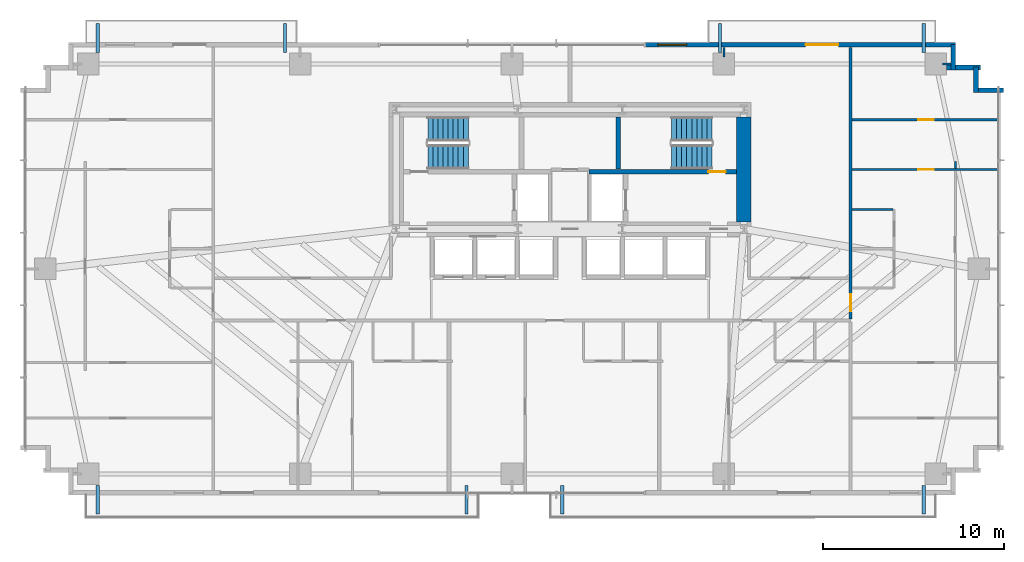
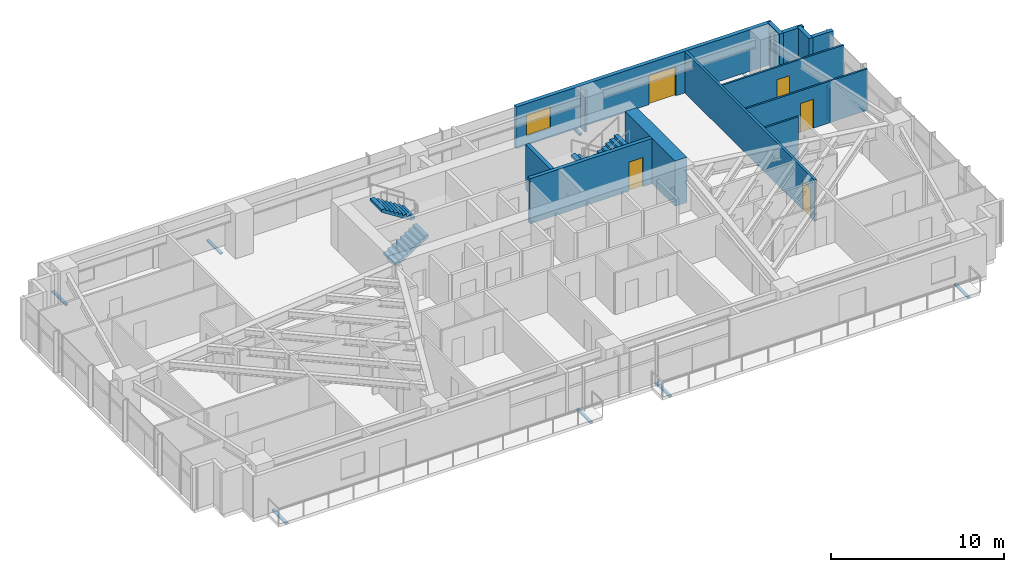
# One storey, part 22 of 25: 15 walls, 8 discrete accessories, 5 doors, 4 stair flights, 1 window, 6 openings, 2 elements without a shape of their own.
"""IFC4 building model written with IfcOpenShell, lengths in metres."""

from ifc_helpers import new_model, si_unit, direction, frame, frame_2d, origin, origin_2d, place, context, subcontext, project, spatial, polyline, rectangle, outline, extrude, source, transform, mapped, material, layer, layer_set, type_object, type_shapes, element, fill, aggregate, save


model = new_model("IFC4")

# Units and contexts
model_context = context("Model", 3, precision=1e-05, world=origin(), true_north=direction((0.0, 1.0)))
body_context = subcontext(model_context, "Body", "Model", "MODEL_VIEW")
ifc_project = project(units=[si_unit("LENGTHUNIT", "METRE"), si_unit("AREAUNIT", "SQUARE_METRE"), si_unit("VOLUMEUNIT", "CUBIC_METRE"), si_unit("PLANEANGLEUNIT", "RADIAN"), si_unit("MASSUNIT", "GRAM", prefix="KILO")], contexts=[model_context])

# Site, building, storey
site_placement = place(None, origin())
site = spatial("IfcSite", under=ifc_project, at=site_placement, CompositionType="ELEMENT")
building_placement = place(site_placement, origin())
building = spatial("IfcBuilding", under=site, at=building_placement, Name="Astriad Promenade Condominiums", CompositionType="ELEMENT")
storey_placement = place(building_placement, frame((0.0, 0.0, 51.800048828125)))
storey = spatial("IfcBuildingStorey", under=building, at=storey_placement, Name="L14", CompositionType="ELEMENT", Elevation=51.800048828125)

# Wall
ifc_material_1 = material(Name="Concrete C80/95", Category="concrete")
ifc_layer_1 = layer(ifc_material_1, 0.800048828125)
ifc_layer_set_1 = layer_set([ifc_layer_1], Name="Concrete C80/95")
wall_type_1 = type_object("IfcWallType", Name="CW-SHEAR-800", PredefinedType="SHEAR", material=ifc_layer_set_1)
wall_1_placement = place(storey_placement, frame((45.60009765625, 17.802001953125, 0.0), z_axis=(0.0, 0.0, 1.0), x_axis=(0.0, 1.0, 0.0)))
element("IfcWall", 1, at=wall_1_placement, inside=storey, type_object=wall_type_1, Name="CW-CORE-E-L14", PredefinedType="SHEAR", context=body_context, shape_type="SweptSolid", body=[
    extrude(rectangle(XDim=5.7958984375, YDim=0.800048828125, at=frame_2d((2.89794921875, 0.0))), origin(), (0.0, 0.0, 1.0), 3.199951171875),
])

# Wall, opening, door
ifc_material_2 = material(Name="Concrete C50/60", Category="concrete")
ifc_layer_2 = layer(ifc_material_2, 0.25)
ifc_layer_set_2 = layer_set([ifc_layer_2], Name="Concrete C50/60")
wall_type_2 = type_object("IfcWallType", Name="WALL-CORE-INT-250", PredefinedType="SOLIDWALL", material=ifc_layer_set_2)
wall_2_placement = place(storey_placement, frame((37.050048828125, 20.574951171875, 0.0), z_axis=(0.0, 0.0, 1.0), x_axis=(1.0, 0.0, 0.0)))
wall_2 = element("IfcWall", 2, at=wall_2_placement, inside=storey, type_object=wall_type_2, Name="CW-INT-H2-L14", PredefinedType="SOLIDWALL", context=body_context, shape_type="SweptSolid", body=[
    extrude(rectangle(XDim=8.14794921875, YDim=0.25, at=frame_2d((4.073974609375, 0.0))), origin(), (0.0, 0.0, 1.0), 3.199951171875),
])
opening_1_placement = place(wall_2_placement, frame((6.60009765625, 0.0, 0.0)))
opening_1 = element("IfcOpeningElement", 3, at=opening_1_placement, cuts=wall_2, Name="Opening FD90-ST-095", PredefinedType="OPENING", context=body_context, shape_type="SweptSolid", body=[
    extrude(rectangle(XDim=0.949951171875, YDim=2.06005859375, at=frame_2d((0.47509765625, 1.030029296875))), frame((0.0, 0.135009765625, 0.0), z_axis=(0.0, -1.0, 0.0), x_axis=(1.0, 0.0, 0.0)), (0.0, 0.0, 1.0), 0.27001953125),
])
ifc_material_3 = material(Name="Fire-Rated Hollow Metal Stair Door")
door_type_1 = type_object("IfcDoorType", Name="FD90-ST-095", OperationType="NOTDEFINED", PredefinedType="DOOR", material=ifc_material_3)
shared_shape_1 = source(origin(), body_context, "Body", "SweptSolid", [
    extrude(rectangle(XDim=0.949951171875, YDim=2.06005859375, at=frame_2d((0.47509765625, 1.030029296875))), frame((0.0, 0.02490234375, 0.0), z_axis=(0.0, -1.0, 0.0), x_axis=(1.0, 0.0, 0.0)), (0.0, 0.0, 1.0), 0.050048828125),
])
type_shapes(door_type_1, [shared_shape_1])
door_1_placement = place(opening_1_placement, origin())
door_1 = element("IfcDoor", 4, at=door_1_placement, inside=storey, type_object=door_type_1, Name="D-ST2-L14", OperationType="SINGLE_SWING_RIGHT", OverallHeight=2.06005859375, OverallWidth=0.949951171875, PredefinedType="DOOR", context=body_context, shape_type="MappedRepresentation", body=[
    mapped(shared_shape_1, transform((0.0, 0.0, 0.0), scale=1.0)),
])
fill(opening_1, door_1)

# Wall
wall_3_placement = place(storey_placement, frame((38.675048828125, 20.701904296875, 0.0), z_axis=(0.0, 0.0, 1.0), x_axis=(0.0, 1.0, 0.0)))
element("IfcWall", 5, at=wall_3_placement, inside=storey, type_object=wall_type_2, Name="CW-ST2-W-L14", PredefinedType="SOLIDWALL", context=body_context, shape_type="SweptSolid", body=[
    extrude(rectangle(XDim=2.89599609375, YDim=0.25, at=frame_2d((1.447998046875, 0.0))), origin(), (0.0, 0.0, 1.0), 3.199951171875),
])

# Wall, opening, door
ifc_material_4 = material(Name="Fire-Rated Gypsum Partition")
ifc_layer_3 = layer(ifc_material_4, 0.159912109375)
ifc_layer_set_3 = layer_set([ifc_layer_3], Name="Fire-Rated Gypsum Partition")
wall_type_3 = type_object("IfcWallType", Name="WALL-CORR-160", PredefinedType="PARTITIONING", material=ifc_layer_set_3)
wall_4_placement = place(storey_placement, frame((51.5, 12.431884765625, 0.0), z_axis=(0.0, 0.0, 1.0), x_axis=(0.0, 1.0, 0.0)))
wall_4 = element("IfcWall", 6, at=wall_4_placement, inside=storey, type_object=wall_type_3, Name="PT-COR-E-L14-S2", PredefinedType="PARTITIONING", context=body_context, shape_type="SweptSolid", body=[
    extrude(rectangle(XDim=15.006103515625, YDim=0.159912109375, at=frame_2d((7.5029296875, 0.0))), origin(), (0.0, 0.0, 1.0), 2.93994140625),
])
opening_2_placement = place(wall_4_placement, frame((0.428955078125, 0.0, 0.0)))
opening_2 = element("IfcOpeningElement", 7, at=opening_2_placement, cuts=wall_4, Name="Opening FD60-APT-095", PredefinedType="OPENING", context=body_context, shape_type="SweptSolid", body=[
    extrude(rectangle(XDim=0.949951171875, YDim=2.06005859375, at=frame_2d((0.47509765625, 1.030029296875))), frame((0.0, 0.08984375, 0.0), z_axis=(0.0, -1.0, 0.0), x_axis=(1.0, 0.0, 0.0)), (0.0, 0.0, 1.0), 0.179931640625),
])
ifc_material_5 = material(Name="Solid-Core Acoustic Timber Residence Entry Door", Category="wood")
door_type_2 = type_object("IfcDoorType", Name="FD60-APT-095", OperationType="NOTDEFINED", PredefinedType="DOOR", material=ifc_material_5)
shared_shape_2 = source(origin(), body_context, "Body", "SweptSolid", [
    extrude(rectangle(XDim=0.949951171875, YDim=2.06005859375, at=frame_2d((0.47509765625, 1.030029296875))), frame((0.0, 0.02490234375, 0.0), z_axis=(0.0, -1.0, 0.0), x_axis=(1.0, 0.0, 0.0)), (0.0, 0.0, 1.0), 0.050048828125),
])
type_shapes(door_type_2, [shared_shape_2])
door_2_placement = place(opening_2_placement, origin())
door_2 = element("IfcDoor", 8, at=door_2_placement, inside=storey, type_object=door_type_2, Name="D-ENT-L14-E1", OperationType="SINGLE_SWING_LEFT", OverallHeight=2.06005859375, OverallWidth=0.949951171875, PredefinedType="DOOR", context=body_context, shape_type="MappedRepresentation", body=[
    mapped(shared_shape_2, transform((0.0, 0.0, 0.0), scale=1.0)),
])
fill(opening_2, door_2)

# Wall, openings, door, window
ifc_material_6 = material(Name="Precast concrete C50/60", Category="concrete")
ifc_layer_4 = layer(ifc_material_6, 0.260009765625)
ifc_layer_set_4 = layer_set([ifc_layer_4], Name="Precast concrete C50/60")
wall_type_4 = type_object("IfcWallType", Name="WALL-EXT-TWR-260", PredefinedType="STANDARD", material=ifc_layer_set_4)
wall_5_placement = place(storey_placement, frame((40.14990234375, 27.570068359375, 0.0), z_axis=(0.0, 0.0, 1.0), x_axis=(1.0, 0.0, 0.0)))
wall_5 = element("IfcWall", 9, at=wall_5_placement, inside=storey, type_object=wall_type_4, Name="W-EXT-L14-N2", PredefinedType="STANDARD", context=body_context, shape_type="SweptSolid", body=[
    extrude(rectangle(XDim=17.150146484375, YDim=0.260009765625, at=frame_2d((8.5751953125, 0.0))), origin(), (0.0, 0.0, 1.0), 2.93994140625),
])
opening_3_placement = place(wall_5_placement, frame((8.8701171875, 0.0, 0.0)))
opening_3 = element("IfcOpeningElement", 10, at=opening_3_placement, cuts=wall_5, Name="Opening BD-1822-SLD", PredefinedType="OPENING", context=body_context, shape_type="SweptSolid", body=[
    extrude(rectangle(XDim=1.800048828125, YDim=2.06005859375, at=frame_2d((0.89990234375, 1.030029296875))), frame((0.0, 0.139892578125, 0.0), z_axis=(0.0, -1.0, 0.0), x_axis=(1.0, 0.0, 0.0)), (0.0, 0.0, 1.0), 0.280029296875),
])
opening_4_placement = place(wall_5_placement, frame((0.699951171875, 0.0, 0.64990234375)))
opening_4 = element("IfcOpeningElement", 11, at=opening_4_placement, cuts=wall_5, Name="Opening WIN-TWR-1620", PredefinedType="OPENING", context=body_context, shape_type="SweptSolid", body=[
    extrude(rectangle(XDim=1.60009765625, YDim=1.5, at=frame_2d((0.800048828125, 0.75))), frame((0.0, 0.139892578125, 0.0), z_axis=(0.0, -1.0, 0.0), x_axis=(1.0, 0.0, 0.0)), (0.0, 0.0, 1.0), 0.280029296875),
])
ifc_material_7 = material(Name="Thermally Broken Aluminium Sliding Balcony Door", Category="aluminium")
door_type_3 = type_object("IfcDoorType", Name="BD-1822-SLD", OperationType="NOTDEFINED", PredefinedType="DOOR", material=ifc_material_7)
shared_shape_3 = source(origin(), body_context, "Body", "SweptSolid", [
    extrude(rectangle(XDim=1.800048828125, YDim=2.06005859375, at=frame_2d((0.89990234375, 1.030029296875))), frame((0.0, 0.02490234375, 0.0), z_axis=(0.0, -1.0, 0.0), x_axis=(1.0, 0.0, 0.0)), (0.0, 0.0, 1.0), 0.050048828125),
])
type_shapes(door_type_3, [shared_shape_3])
door_3_placement = place(opening_3_placement, origin())
door_3 = element("IfcDoor", 12, at=door_3_placement, inside=storey, type_object=door_type_3, Name="BD-L14-NE", OperationType="SLIDING_TO_RIGHT", OverallHeight=2.06005859375, OverallWidth=1.800048828125, PredefinedType="DOOR", context=body_context, shape_type="MappedRepresentation", body=[
    mapped(shared_shape_3, transform((0.0, 0.0, 0.0), scale=1.0)),
])
fill(opening_3, door_3)
ifc_material_8 = material(Name="Dark Tinted Triple-Glazed Aluminium Window", Category="aluminium")
window_type = type_object("IfcWindowType", Name="WIN-TWR-1620", PartitioningType="SINGLE_PANEL", PredefinedType="WINDOW", material=ifc_material_8)
shared_shape_4 = source(origin(), body_context, "Body", "SweptSolid", [
    extrude(rectangle(XDim=1.60009765625, YDim=1.5, at=frame_2d((0.800048828125, 0.75))), frame((0.0, 0.030029296875, 0.0), z_axis=(0.0, -1.0, 0.0), x_axis=(1.0, 0.0, 0.0)), (0.0, 0.0, 1.0), 0.06005859375),
])
type_shapes(window_type, [shared_shape_4])
window_placement = place(opening_4_placement, origin())
window = element("IfcWindow", 13, at=window_placement, inside=storey, type_object=window_type, Name="WIN-L14-NE", OverallHeight=1.5, OverallWidth=1.60009765625, PartitioningType="SINGLE_PANEL", PredefinedType="WINDOW", context=body_context, shape_type="MappedRepresentation", body=[
    mapped(shared_shape_4, transform((0.0, 0.0, 0.0), scale=1.0)),
])
fill(opening_4, window)

# Walls
wall_6_placement = place(storey_placement, frame((57.169921875, 27.5849609375, 0.0), z_axis=(0.0, 0.0, 1.0), x_axis=(0.0, -1.0, 0.0)))
element("IfcWall", 14, at=wall_6_placement, inside=storey, type_object=wall_type_4, Name="W-SER-L14-09", PredefinedType="STANDARD", context=body_context, shape_type="SweptSolid", body=[
    extrude(rectangle(XDim=1.39501953125, YDim=0.260009765625, at=frame_2d((0.697509765625, 0.0))), origin(), (0.0, 0.0, 1.0), 2.93994140625),
])
wall_7_placement = place(storey_placement, frame((56.802001953125, 26.320068359375, 0.0), z_axis=(0.0, 0.0, 1.0), x_axis=(1.0, 0.0, 0.0)))
element("IfcWall", 15, at=wall_7_placement, inside=storey, type_object=wall_type_4, Name="W-SER-L14-10", PredefinedType="STANDARD", context=body_context, shape_type="SweptSolid", body=[
    extrude(rectangle(XDim=1.8779296875, YDim=0.260009765625, at=frame_2d((0.93896484375, 0.0))), origin(), (0.0, 0.0, 1.0), 2.93994140625),
])
for number, where, z_axis, x_axis, name in (
    (16, (58.419921875, 26.3349609375, 0.0), (0.0, 0.0, 1.0), (0.0, -1.0, 0.0), "W-SER-L14-11"),
    (17, (58.534912109375, 25.070068359375, 0.0), (0.0, 0.0, 1.0), (1.0, 0.0, 0.0), "W-SER-L14-12"),
):
    element("IfcWall", number, at=place(storey_placement, frame(where, z_axis=z_axis, x_axis=x_axis)), inside=storey, type_object=wall_type_4, Name=name, PredefinedType="STANDARD", context=body_context, shape_type="SweptSolid", body=[
        extrude(rectangle(XDim=1.39501953125, YDim=0.260009765625, at=frame_2d((0.697509765625, 0.0))), origin(), (0.0, 0.0, 1.0), 2.93994140625),
    ])
ifc_material_9 = material(Name="Acoustic Metal-Stud Gypsum Partition")
ifc_layer_5 = layer(ifc_material_9, 0.1201171875)
ifc_layer_set_5 = layer_set([ifc_layer_5], Name="Acoustic Metal-Stud Gypsum Partition")
wall_type_5 = type_object("IfcWallType", Name="WALL-PART-120", PredefinedType="PARTITIONING", material=ifc_layer_set_5)
wall_8_placement = place(storey_placement, frame((51.58203125, 18.486083984375, 0.0), z_axis=(0.0, 0.0, 1.0), x_axis=(1.0, 0.0, 0.0)))
element("IfcWall", 18, at=wall_8_placement, inside=storey, type_object=wall_type_5, Name="PT-L14-E1-PN", PredefinedType="PARTITIONING", context=body_context, shape_type="SweptSolid", body=[
    extrude(rectangle(XDim=2.255859375, YDim=0.1201171875, at=frame_2d((1.1279296875, 0.0))), origin(), (0.0, 0.0, 1.0), 2.93994140625),
])

# Wall, opening, door
wall_9_placement = place(storey_placement, frame((51.58203125, 23.43994140625, 0.0), z_axis=(0.0, 0.0, 1.0), x_axis=(1.0, 0.0, 0.0)))
wall_9 = element("IfcWall", 19, at=wall_9_placement, inside=storey, type_object=wall_type_5, Name="PT-L14-E1-WDN2", PredefinedType="PARTITIONING", context=body_context, shape_type="SweptSolid", body=[
    extrude(rectangle(XDim=8.137939453125, YDim=0.1201171875, at=frame_2d((4.06884765625, 0.0))), origin(), (0.0, 0.0, 1.0), 2.93994140625),
])
opening_5_placement = place(wall_9_placement, frame((3.653076171875, 0.0, 0.0)))
opening_5 = element("IfcOpeningElement", 20, at=opening_5_placement, cuts=wall_9, Name="Opening D-INT-085", PredefinedType="OPENING", context=body_context, shape_type="SweptSolid", body=[
    extrude(rectangle(XDim=0.85009765625, YDim=2.050048828125, at=frame_2d((0.425048828125, 1.02490234375))), frame((0.0, 0.070068359375, 0.0), z_axis=(0.0, -1.0, 0.0), x_axis=(1.0, 0.0, 0.0)), (0.0, 0.0, 1.0), 0.14013671875),
])
ifc_material_10 = material(Name="Painted Solid-Core Timber Room Door", Category="wood")
door_type_4 = type_object("IfcDoorType", Name="D-INT-085", OperationType="NOTDEFINED", PredefinedType="DOOR", material=ifc_material_10)
shared_shape_5 = source(origin(), body_context, "Body", "SweptSolid", [
    extrude(rectangle(XDim=0.85009765625, YDim=2.050048828125, at=frame_2d((0.425048828125, 1.02490234375))), frame((0.0, 0.02490234375, 0.0), z_axis=(0.0, -1.0, 0.0), x_axis=(1.0, 0.0, 0.0)), (0.0, 0.0, 1.0), 0.050048828125),
])
type_shapes(door_type_4, [shared_shape_5])
door_4_placement = place(opening_5_placement, origin())
door_4 = element("IfcDoor", 21, at=door_4_placement, inside=storey, type_object=door_type_4, Name="D-WDN2-L14-E1", OperationType="SINGLE_SWING_LEFT", OverallHeight=2.050048828125, OverallWidth=0.85009765625, PredefinedType="DOOR", context=body_context, shape_type="MappedRepresentation", body=[
    mapped(shared_shape_5, transform((0.0, 0.0, 0.0), scale=1.0)),
])
fill(opening_5, door_4)

wall_10_placement = place(storey_placement, frame((51.58203125, 20.68798828125, 0.0), z_axis=(0.0, 0.0, 1.0), x_axis=(1.0, 0.0, 0.0)))
wall_10 = element("IfcWall", 22, at=wall_10_placement, inside=storey, type_object=wall_type_5, Name="PT-L14-E1-WDN4", PredefinedType="PARTITIONING", context=body_context, shape_type="SweptSolid", body=[
    extrude(rectangle(XDim=8.137939453125, YDim=0.1201171875, at=frame_2d((4.06884765625, 0.0))), origin(), (0.0, 0.0, 1.0), 2.93994140625),
])
opening_6_placement = place(wall_10_placement, frame((3.653076171875, 0.0, 0.0)))
opening_6 = element("IfcOpeningElement", 23, at=opening_6_placement, cuts=wall_10, Name="Opening D-INT-085", PredefinedType="OPENING", context=body_context, shape_type="SweptSolid", body=[
    extrude(rectangle(XDim=0.85009765625, YDim=2.050048828125, at=frame_2d((0.425048828125, 1.02490234375))), frame((0.0, 0.070068359375, 0.0), z_axis=(0.0, -1.0, 0.0), x_axis=(1.0, 0.0, 0.0)), (0.0, 0.0, 1.0), 0.14013671875),
])
door_5_placement = place(opening_6_placement, origin())
door_5 = element("IfcDoor", 24, at=door_5_placement, inside=storey, type_object=door_type_4, Name="D-WDN4-L14-E1", OperationType="SINGLE_SWING_LEFT", OverallHeight=2.050048828125, OverallWidth=0.85009765625, PredefinedType="DOOR", context=body_context, shape_type="MappedRepresentation", body=[
    mapped(shared_shape_5, transform((0.0, 0.0, 0.0), scale=1.0)),
])
fill(opening_6, door_5)

# Walls
wall_11_placement = place(storey_placement, frame((57.287109375, 20.75, 0.0), z_axis=(0.0, 0.0, 1.0), x_axis=(0.0, 1.0, 0.0)))
element("IfcWall", 25, at=wall_11_placement, inside=storey, type_object=wall_type_5, Name="PT-L14-E1-WDV5-S3", PredefinedType="PARTITIONING", context=body_context, shape_type="SweptSolid", body=[
    extrude(rectangle(XDim=0.3779296875, YDim=0.1201171875, at=frame_2d((0.18896484375, 0.0))), origin(), (0.0, 0.0, 1.0), 2.309814453125),
])
wall_12_placement = place(storey_placement, frame((44.5, 26.89990234375, 0.0), z_axis=(0.0, 0.0, 1.0), x_axis=(0.0, 1.0, 0.0)))
element("IfcWall", 26, at=wall_12_placement, inside=storey, type_object=wall_type_5, Name="PT-PIL-L14-PC09-16", PredefinedType="PARTITIONING", context=body_context, shape_type="SweptSolid", body=[
    extrude(rectangle(XDim=0.5380859375, YDim=0.1201171875, at=frame_2d((0.26904296875, 0.0))), origin(), (0.0, 0.0, 1.0), 2.93994140625),
])
wall_13_placement = place(storey_placement, frame((56.580078125, 26.52001953125, 0.0), z_axis=(0.0, 0.0, 1.0), x_axis=(1.0, 0.0, 0.0)))
element("IfcWall", 27, at=wall_13_placement, inside=storey, type_object=wall_type_5, Name="PT-PIL-L14-PC10-17", PredefinedType="PARTITIONING", context=body_context, shape_type="SweptSolid", body=[
    extrude(rectangle(XDim=0.4580078125, YDim=0.1201171875, at=frame_2d((0.22900390625, 0.0))), origin(), (0.0, 0.0, 1.0), 2.93994140625),
])

# Stair, stair flights
stair_type = type_object("IfcStairType", Name="STR-CORE-1350", PredefinedType="HALF_TURN_STAIR", material=ifc_material_2)
stair_1_placement = place(storey_placement, origin())
stair_1 = element("IfcStair", 28, at=stair_1_placement, inside=storey, type_object=stair_type, Name="L14 Enclosed Core Exit Stair ST-1", PredefinedType="HALF_TURN_STAIR")
stair_flight_type = type_object("IfcStairFlightType", Name="SFL-CORE-1350", PredefinedType="STRAIGHT", material=ifc_material_2)
shared_shape_6 = source(origin(), body_context, "Body", "SweptSolid", [
    extrude(outline(polyline([(0.0, 0.0), (0.0, 0.177734375), (0.280029296875, 0.177734375), (0.280029296875, 0.35546875), (0.56005859375, 0.35546875), (0.56005859375, 0.533447265625), (0.840087890625, 0.533447265625), (0.840087890625, 0.711181640625), (1.1201171875, 0.711181640625), (1.1201171875, 0.888916015625), (1.39990234375, 0.888916015625), (1.39990234375, 1.066650390625), (1.679931640625, 1.066650390625), (1.679931640625, 1.244384765625), (1.9599609375, 1.244384765625), (1.9599609375, 1.422119140625), (2.239990234375, 1.422119140625), (2.239990234375, 1.60009765625), (2.239990234375, 1.24462890625), (0.27978515625, 0.0), (0.0, 0.0)])), frame((0.0, 0.675048828125, 0.0), z_axis=(0.0, -1.0, 0.0), x_axis=(1.0, 0.0, 0.0)), (0.0, 0.0, 1.0), 1.35009765625),
])
type_shapes(stair_flight_type, [shared_shape_6])
stair_flight_1_placement = place(storey_placement, frame((28.14990234375, 21.375, 0.0), z_axis=(0.0, 0.0, 1.0), x_axis=(1.0, 0.0, 0.0)))
stair_flight_1 = element("IfcStairFlight", 29, at=stair_flight_1_placement, type_object=stair_flight_type, Name="ST-1 flight 1", NumberOfRisers=9, NumberOfTreads=8, PredefinedType="STRAIGHT", RiserHeight=0.177777778, TreadLength=0.28, context=body_context, shape_type="MappedRepresentation", body=[
    mapped(shared_shape_6, transform((0.0, 0.0, 0.0), scale=1.0)),
])
stair_flight_2_placement = place(storey_placement, frame((30.389892578125, 22.925048828125, 1.599853515625), z_axis=(0.0, 0.0, 1.0), x_axis=(-1.0, 0.0, 0.0)))
stair_flight_2 = element("IfcStairFlight", 30, at=stair_flight_2_placement, type_object=stair_flight_type, Name="ST-1 flight 2", NumberOfRisers=9, NumberOfTreads=8, PredefinedType="STRAIGHT", RiserHeight=0.177777778, TreadLength=0.28, context=body_context, shape_type="MappedRepresentation", body=[
    mapped(shared_shape_6, transform((0.0, 0.0, 0.0), scale=1.0)),
])
aggregate(stair_1, [stair_flight_1, stair_flight_2])

stair_2_placement = place(storey_placement, origin())
stair_2 = element("IfcStair", 31, at=stair_2_placement, inside=storey, type_object=stair_type, Name="L14 Enclosed Core Exit Stair ST-2", PredefinedType="HALF_TURN_STAIR")
stair_flight_3_placement = place(storey_placement, frame((43.85009765625, 22.925048828125, 0.0), z_axis=(0.0, 0.0, 1.0), x_axis=(-1.0, 0.0, 0.0)))
stair_flight_3 = element("IfcStairFlight", 32, at=stair_flight_3_placement, type_object=stair_flight_type, Name="ST-2 flight 1", NumberOfRisers=9, NumberOfTreads=8, PredefinedType="STRAIGHT", RiserHeight=0.177777778, TreadLength=0.28, context=body_context, shape_type="MappedRepresentation", body=[
    mapped(shared_shape_6, transform((0.0, 0.0, 0.0), scale=1.0)),
])
stair_flight_4_placement = place(storey_placement, frame((41.610107421875, 21.375, 1.599853515625), z_axis=(0.0, 0.0, 1.0), x_axis=(1.0, 0.0, 0.0)))
stair_flight_4 = element("IfcStairFlight", 33, at=stair_flight_4_placement, type_object=stair_flight_type, Name="ST-2 flight 2", NumberOfRisers=9, NumberOfTreads=8, PredefinedType="STRAIGHT", RiserHeight=0.177777778, TreadLength=0.28, context=body_context, shape_type="MappedRepresentation", body=[
    mapped(shared_shape_6, transform((0.0, 0.0, 0.0), scale=1.0)),
])
aggregate(stair_2, [stair_flight_3, stair_flight_4])

# Discrete accessories
ifc_material_11 = material(Name="Steel ASTM A572 Grade 50", Category="steel")
discrete_accessory_type = type_object("IfcDiscreteAccessoryType", Name="STEEL BALCONY OUTRIGGER BRACKET", PredefinedType="BRACKET", material=ifc_material_11)
shared_shape_7 = source(origin(), body_context, "Body", "SweptSolid", [
    extrude(rectangle(XDim=1.60009765625, YDim=0.179931640625, at=origin_2d()), origin(), (0.0, 0.0, 1.0), 0.1220703125),
])
type_shapes(discrete_accessory_type, [shared_shape_7])
for number, where, z_axis, x_axis, name in (
    (34, (9.927001953125, 2.449951171875, -0.340087890625), (0.0, 0.0, 1.0), (0.0, -1.0, 0.0), "Balcony Outrigger Bracket BAL-L14-SW-A"),
    (35, (30.2939453125, 2.449951171875, -0.340087890625), (0.0, 0.0, 1.0), (0.0, -1.0, 0.0), "Balcony Outrigger Bracket BAL-L14-SW-B"),
    (36, (35.577880859375, 2.449951171875, -0.340087890625), (0.0, 0.0, 1.0), (0.0, -1.0, 0.0), "Balcony Outrigger Bracket BAL-L14-SE-A"),
    (37, (55.535888671875, 2.449951171875, -0.340087890625), (0.0, 0.0, 1.0), (0.0, -1.0, 0.0), "Balcony Outrigger Bracket BAL-L14-SE-B"),
    (38, (9.927001953125, 27.949951171875, -0.340087890625), (0.0, 0.0, 1.0), (0.0, 1.0, 0.0), "Balcony Outrigger Bracket BAL-L14-NW-A"),
    (39, (20.27001953125, 27.949951171875, -0.340087890625), (0.0, 0.0, 1.0), (0.0, 1.0, 0.0), "Balcony Outrigger Bracket BAL-L14-NW-B"),
    (40, (44.2900390625, 27.949951171875, -0.340087890625), (0.0, 0.0, 1.0), (0.0, 1.0, 0.0), "Balcony Outrigger Bracket BAL-L14-NE-A"),
    (41, (55.535888671875, 27.949951171875, -0.340087890625), (0.0, 0.0, 1.0), (0.0, 1.0, 0.0), "Balcony Outrigger Bracket BAL-L14-NE-B"),
):
    element("IfcDiscreteAccessory", number, at=place(storey_placement, frame(where, z_axis=z_axis, x_axis=x_axis)), inside=storey, type_object=discrete_accessory_type, Name=name, PredefinedType="BRACKET", context=body_context, shape_type="MappedRepresentation", body=[
        mapped(shared_shape_7, transform((0.0, 0.0, 0.0), scale=1.0)),
    ])

save(model, "model.ifc")
